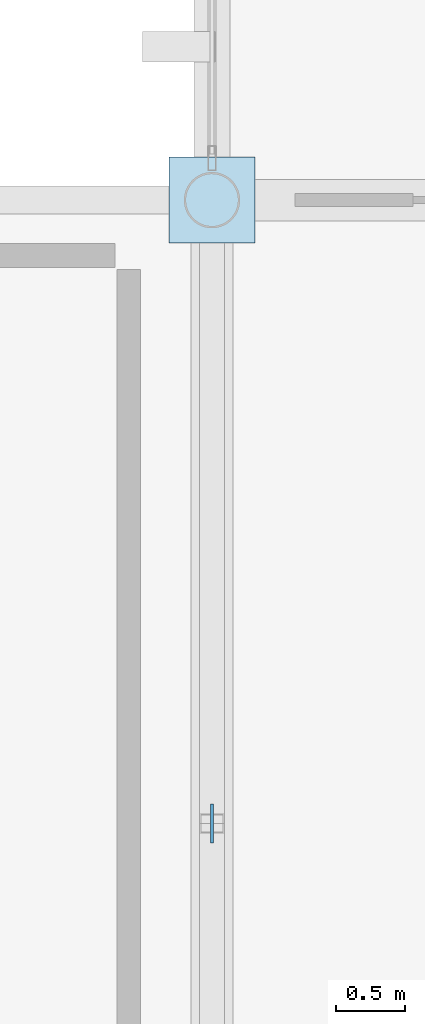
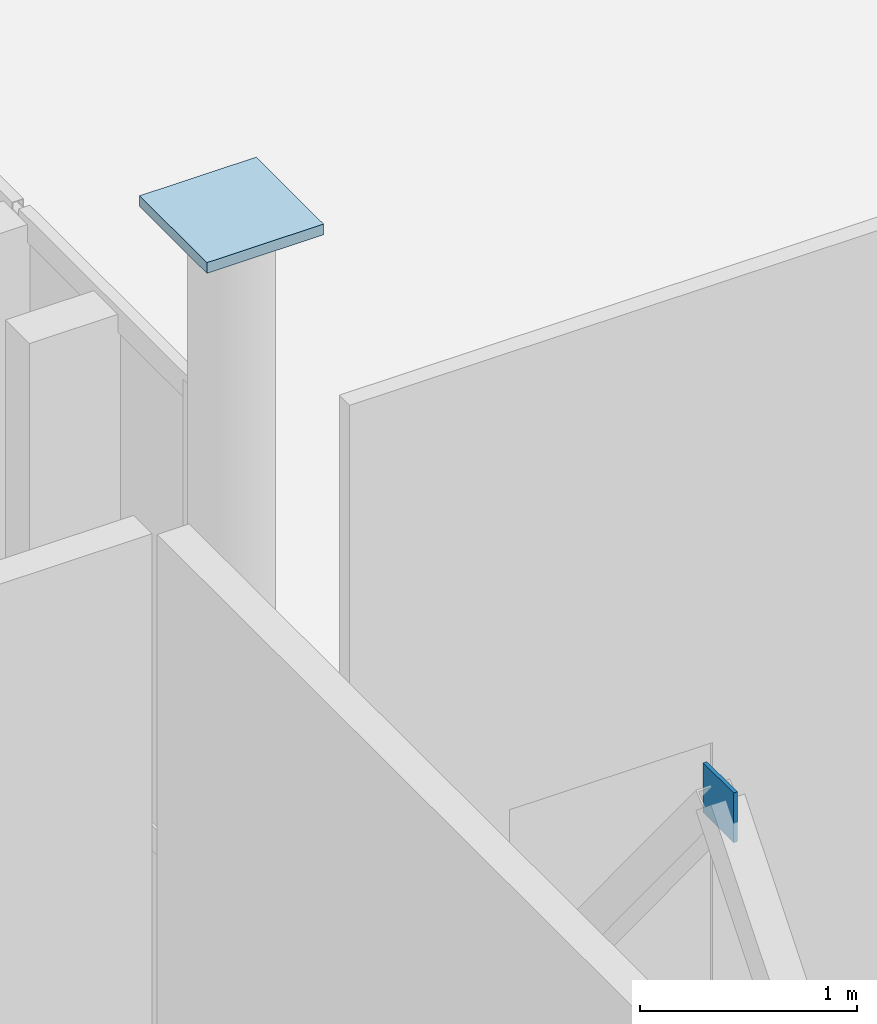
# One storey, part 200 of 237: 2 plates.
"""IFC4 building model written with IfcOpenShell, lengths in metres."""

from ifc_helpers import new_model, si_unit, direction, frame, origin, origin_2d, place, context, subcontext, project, spatial, rectangle, extrude, material, layer, layer_set, type_object, element, save


model = new_model("IFC4")

# Units and contexts
model_context = context("Model", 3, precision=1e-05, world=origin(), true_north=direction((0.0, 1.0)))
body_context = subcontext(model_context, "Body", "Model", "MODEL_VIEW")
ifc_project = project(units=[si_unit("LENGTHUNIT", "METRE"), si_unit("AREAUNIT", "SQUARE_METRE"), si_unit("VOLUMEUNIT", "CUBIC_METRE"), si_unit("PLANEANGLEUNIT", "RADIAN"), si_unit("MASSUNIT", "GRAM", prefix="KILO")], contexts=[model_context])

# Site, building, storey
site_placement = place(None, origin())
site = spatial("IfcSite", under=ifc_project, at=site_placement, CompositionType="ELEMENT")
building_placement = place(site_placement, origin())
building = spatial("IfcBuilding", under=site, at=building_placement, Name="Barlavento Convention Centre", CompositionType="ELEMENT")
storey_placement = place(building_placement, frame((0.0, 0.0, 12.0)))
storey = spatial("IfcBuildingStorey", under=building, at=storey_placement, Name="L02", CompositionType="ELEMENT", Elevation=12.0)

# Plates
ifc_material = material(Name="Steel S355", Category="steel")
ifc_layer_1 = layer(ifc_material, 0.02001953125)
ifc_layer_set_1 = layer_set([ifc_layer_1], Name="STR-PLT-CAP-280")
plate_type_1 = type_object("IfcPlateType", Name="STR-PLT-CAP-280", PredefinedType="SHEET", material=ifc_layer_set_1)
plate_1_placement = place(storey_placement, frame((126.0, 58.5, 5.2900390625), z_axis=(0.0, 0.0, 1.0), x_axis=(1.0, 0.0, 0.0)))
element("IfcPlate", 1, at=plate_1_placement, inside=storey, type_object=plate_type_1, Name="Chevron brace gusset splice plate EC03", PredefinedType="SHEET", context=body_context, shape_type="SweptSolid", body=[
    extrude(rectangle(XDim=0.02001953125, YDim=0.280029296875, at=origin_2d()), origin(), (0.0, 0.0, 1.0), 0.280029296875),
])
ifc_layer_2 = layer(ifc_material, 0.06005859375)
ifc_layer_set_2 = layer_set([ifc_layer_2], Name="STR-PLT-CAP-620")
plate_type_2 = type_object("IfcPlateType", Name="STR-PLT-CAP-620", PredefinedType="SHEET", material=ifc_layer_set_2)
plate_2_placement = place(storey_placement, frame((126.0, 63.0, 5.969970703125), z_axis=(0.0, 0.0, 1.0), x_axis=(1.0, 0.0, 0.0)))
element("IfcPlate", 2, at=plate_2_placement, inside=storey, type_object=plate_type_2, Name="Hollow column sealing end-cap plate EC04", PredefinedType="SHEET", context=body_context, shape_type="SweptSolid", body=[
    extrude(rectangle(XDim=0.6201171875, YDim=0.6201171875, at=origin_2d()), origin(), (0.0, 0.0, 1.0), 0.06005859375),
])

save(model, "model.ifc")
